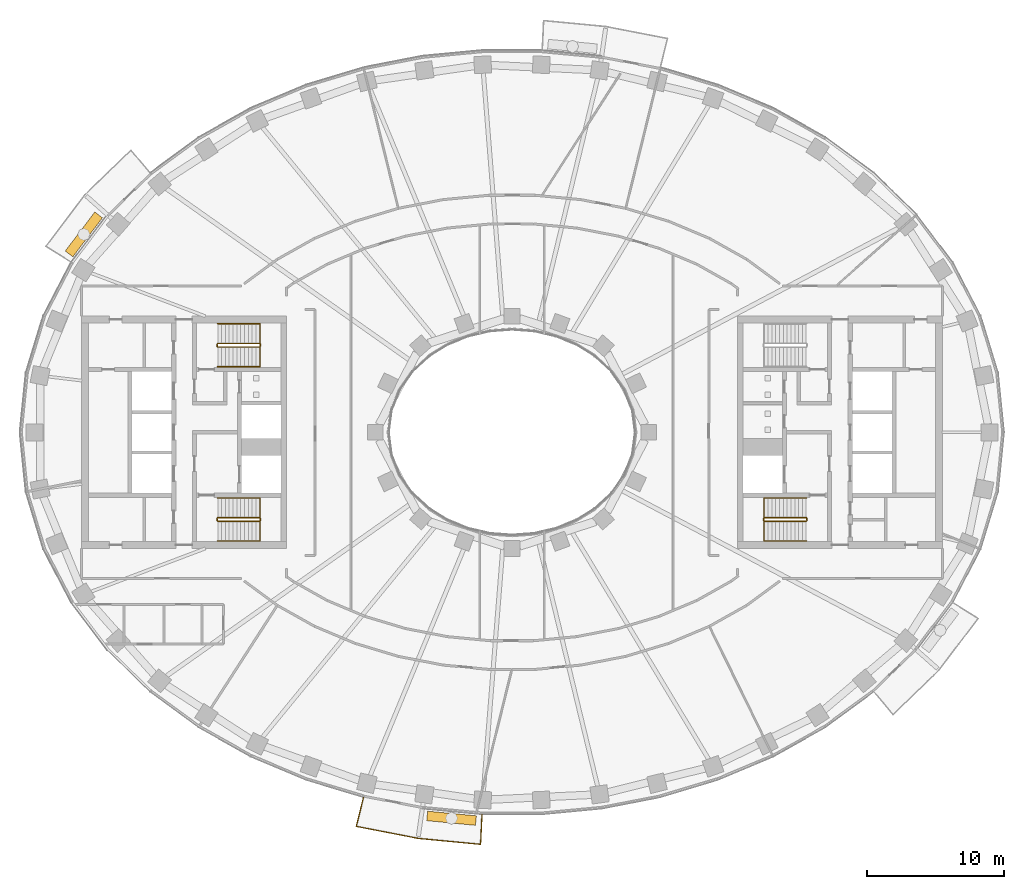
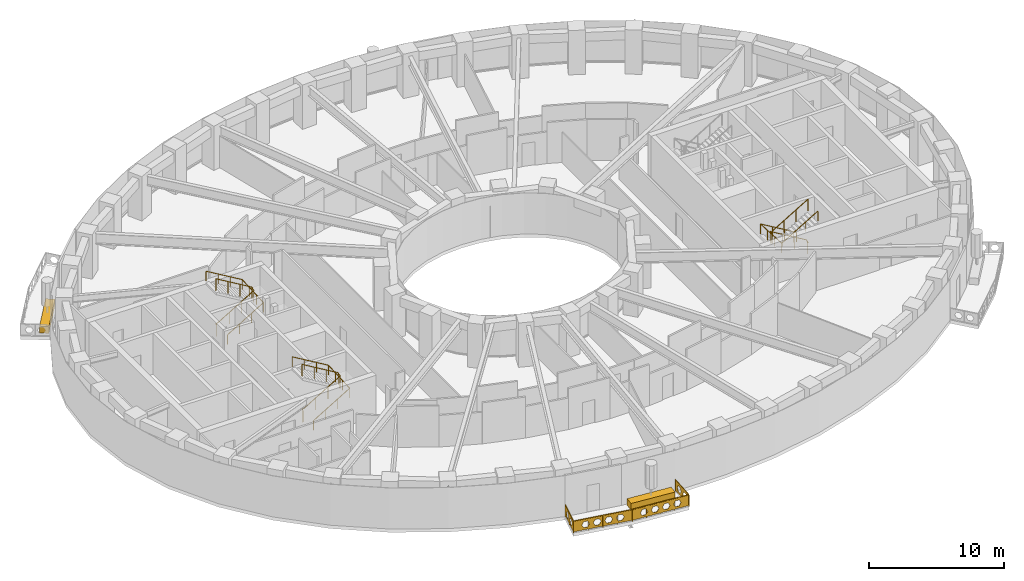
# One storey, part 14 of 16: 7 railings, 2 coverings.
"""IFC4 building model written with IfcOpenShell, lengths in metres."""

from ifc_helpers import new_model, si_unit, direction, frame, origin, origin_2d, place, context, subcontext, project, spatial, polyline, rectangle, outline, extrude, material, type_object, element, save


model = new_model("IFC4")

# Units and contexts
model_context = context("Model", 3, precision=1e-05, world=origin(), true_north=direction((0.0, 1.0)))
body_context = subcontext(model_context, "Body", "Model", "MODEL_VIEW")
ifc_project = project(units=[si_unit("LENGTHUNIT", "METRE"), si_unit("AREAUNIT", "SQUARE_METRE"), si_unit("VOLUMEUNIT", "CUBIC_METRE"), si_unit("PLANEANGLEUNIT", "RADIAN"), si_unit("MASSUNIT", "GRAM", prefix="KILO")], contexts=[model_context])

# Site, building, storey
site_placement = place(None, origin())
site = spatial("IfcSite", under=ifc_project, at=site_placement, CompositionType="ELEMENT")
building_placement = place(site_placement, origin())
building = spatial("IfcBuilding", under=site, at=building_placement, Name="Noorbagh Ring Tower", CompositionType="ELEMENT")
storey_placement = place(building_placement, frame((0.0, 0.0, 136.0)))
storey = spatial("IfcBuildingStorey", under=building, at=storey_placement, Name="L31", CompositionType="ELEMENT", Elevation=136.0)

# Railings
ifc_material_1 = material(Name="Stainless steel", Category="steel")
railing_type_1 = type_object("IfcRailingType", Name="CORE-STAIR-GUARD", PredefinedType="GUARDRAIL", material=ifc_material_1)
railing_1_placement = place(storey_placement, frame((-21.580078125, 6.300048828125, 0.0)))
element("IfcRailing", 1, at=railing_1_placement, inside=storey, type_object=railing_type_1, Name="L31 ST1 stair guard", PredefinedType="GUARDRAIL", context=body_context, shape_type="SweptSolid", body=[
    extrude(rectangle(XDim=0.048095703125, YDim=0.048095703125, at=origin_2d()), frame((0.0, 0.0, 1.076171875), z_axis=(0.0, 1.0, 0.0), x_axis=(-1.0, 0.0, 0.0)), (0.0, 0.0, 1.0), 0.14990234375),
    extrude(rectangle(XDim=0.048095703125, YDim=0.048095703125, at=origin_2d()), frame((0.0, 0.14990234375, 1.076171875), z_axis=(0.188775798145, -0.754182335027, 0.628945707965), x_axis=(0.970072785993, 0.242814311512, 0.0)), (0.0, 0.0, 1.0), 0.26513671875),
    extrude(rectangle(XDim=0.048095703125, YDim=0.048095703125, at=origin_2d()), frame((0.050048828125, -0.050048828125, 1.24267578125), z_axis=(0.859308565015, 0.0, 0.511457515432), x_axis=(0.0, 1.0, 0.0)), (0.0, 0.0, 1.0), 3.58447265625),
    extrude(rectangle(XDim=0.048095703125, YDim=0.048095703125, at=origin_2d()), frame((3.130126953125, -0.050048828125, 3.076171875), z_axis=(0.707106781187, 0.707106781187, 0.0), x_axis=(-0.707106781187, 0.707106781187, 0.0)), (0.0, 0.0, 1.0), 0.07080078125),
    extrude(rectangle(XDim=0.048095703125, YDim=0.048095703125, at=origin_2d()), frame((3.18017578125, 0.0, 3.076171875), z_axis=(0.0, 1.0, 0.0), x_axis=(-1.0, 0.0, 0.0)), (0.0, 0.0, 1.0), 0.14990234375),
    extrude(rectangle(XDim=0.048095703125, YDim=0.048095703125, at=origin_2d()), frame((3.18017578125, 0.14990234375, 3.076171875), z_axis=(-0.27628659633, 0.27628659633, 0.920506074601), x_axis=(-0.707106781187, -0.707106781187, 0.0)), (0.0, 0.0, 1.0), 0.18115234375),
    extrude(rectangle(XDim=0.048095703125, YDim=0.048095703125, at=origin_2d()), frame((3.130126953125, 0.199951171875, 3.24267578125), z_axis=(-0.859308565015, 0.0, 0.511457515432), x_axis=(0.0, -1.0, 0.0)), (0.0, 0.0, 1.0), 3.58447265625),
    extrude(rectangle(XDim=0.0419921875, YDim=0.0419921875, at=origin_2d()), origin(), (0.0, 0.0, 1.0), 1.052001953125),
    extrude(rectangle(XDim=0.0419921875, YDim=0.0419921875, at=origin_2d()), frame((1.07666015625, -0.050048828125, 0.77783203125)), (0.0, 0.0, 1.0), 1.052001953125),
    extrude(rectangle(XDim=0.0419921875, YDim=0.0419921875, at=origin_2d()), frame((2.103515625, -0.050048828125, 1.388916015625)), (0.0, 0.0, 1.0), 1.052001953125),
    extrude(rectangle(XDim=0.0419921875, YDim=0.0419921875, at=origin_2d()), frame((3.130126953125, -0.050048828125, 2.0)), (0.0, 0.0, 1.0), 1.052001953125),
    extrude(rectangle(XDim=0.0419921875, YDim=0.0419921875, at=origin_2d()), frame((3.130126953125, 0.199951171875, 2.166748046875)), (0.0, 0.0, 1.0), 1.052001953125),
    extrude(rectangle(XDim=0.0419921875, YDim=0.0419921875, at=origin_2d()), frame((2.103515625, 0.199951171875, 2.77783203125)), (0.0, 0.0, 1.0), 1.052001953125),
    extrude(rectangle(XDim=0.0419921875, YDim=0.0419921875, at=origin_2d()), frame((1.07666015625, 0.199951171875, 3.388916015625)), (0.0, 0.0, 1.0), 1.052001953125),
    extrude(rectangle(XDim=0.0419921875, YDim=0.0419921875, at=origin_2d()), frame((0.050048828125, 0.199951171875, 4.0)), (0.0, 0.0, 1.0), 1.052001953125),
])
railing_2_placement = place(storey_placement, frame((-21.580078125, -6.449951171875, 0.0)))
element("IfcRailing", 2, at=railing_2_placement, inside=storey, type_object=railing_type_1, Name="L31 ST2 stair guard", PredefinedType="GUARDRAIL", context=body_context, shape_type="SweptSolid", body=[
    extrude(rectangle(XDim=0.048095703125, YDim=0.048095703125, at=origin_2d()), frame((0.0, 0.0, 1.076171875), z_axis=(0.0, 1.0, 0.0), x_axis=(-1.0, 0.0, 0.0)), (0.0, 0.0, 1.0), 0.14990234375),
    extrude(rectangle(XDim=0.048095703125, YDim=0.048095703125, at=origin_2d()), frame((0.0, 0.14990234375, 1.076171875), z_axis=(0.188775798145, -0.754182335027, 0.628945707965), x_axis=(0.970072785993, 0.242814311512, 0.0)), (0.0, 0.0, 1.0), 0.26513671875),
    extrude(rectangle(XDim=0.048095703125, YDim=0.048095703125, at=origin_2d()), frame((0.050048828125, -0.050048828125, 1.24267578125), z_axis=(0.859308565015, 0.0, 0.511457515432), x_axis=(0.0, 1.0, 0.0)), (0.0, 0.0, 1.0), 3.58447265625),
    extrude(rectangle(XDim=0.048095703125, YDim=0.048095703125, at=origin_2d()), frame((3.130126953125, -0.050048828125, 3.076171875), z_axis=(0.707106781187, 0.707106781187, 0.0), x_axis=(-0.707106781187, 0.707106781187, 0.0)), (0.0, 0.0, 1.0), 0.07080078125),
    extrude(rectangle(XDim=0.048095703125, YDim=0.048095703125, at=origin_2d()), frame((3.18017578125, 0.0, 3.076171875), z_axis=(0.0, 1.0, 0.0), x_axis=(-1.0, 0.0, 0.0)), (0.0, 0.0, 1.0), 0.14990234375),
    extrude(rectangle(XDim=0.048095703125, YDim=0.048095703125, at=origin_2d()), frame((3.18017578125, 0.14990234375, 3.076171875), z_axis=(-0.27628659633, 0.27628659633, 0.920506074601), x_axis=(-0.707106781187, -0.707106781187, 0.0)), (0.0, 0.0, 1.0), 0.18115234375),
    extrude(rectangle(XDim=0.048095703125, YDim=0.048095703125, at=origin_2d()), frame((3.130126953125, 0.199951171875, 3.24267578125), z_axis=(-0.859308565015, 0.0, 0.511457515432), x_axis=(0.0, -1.0, 0.0)), (0.0, 0.0, 1.0), 3.58447265625),
    extrude(rectangle(XDim=0.0419921875, YDim=0.0419921875, at=origin_2d()), origin(), (0.0, 0.0, 1.0), 1.052001953125),
    extrude(rectangle(XDim=0.0419921875, YDim=0.0419921875, at=origin_2d()), frame((1.07666015625, -0.050048828125, 0.77783203125)), (0.0, 0.0, 1.0), 1.052001953125),
    extrude(rectangle(XDim=0.0419921875, YDim=0.0419921875, at=origin_2d()), frame((2.103515625, -0.050048828125, 1.388916015625)), (0.0, 0.0, 1.0), 1.052001953125),
    extrude(rectangle(XDim=0.0419921875, YDim=0.0419921875, at=origin_2d()), frame((3.130126953125, -0.050048828125, 2.0)), (0.0, 0.0, 1.0), 1.052001953125),
    extrude(rectangle(XDim=0.0419921875, YDim=0.0419921875, at=origin_2d()), frame((3.130126953125, 0.199951171875, 2.166748046875)), (0.0, 0.0, 1.0), 1.052001953125),
    extrude(rectangle(XDim=0.0419921875, YDim=0.0419921875, at=origin_2d()), frame((2.103515625, 0.199951171875, 2.77783203125)), (0.0, 0.0, 1.0), 1.052001953125),
    extrude(rectangle(XDim=0.0419921875, YDim=0.0419921875, at=origin_2d()), frame((1.07666015625, 0.199951171875, 3.388916015625)), (0.0, 0.0, 1.0), 1.052001953125),
    extrude(rectangle(XDim=0.0419921875, YDim=0.0419921875, at=origin_2d()), frame((0.050048828125, 0.199951171875, 4.0)), (0.0, 0.0, 1.0), 1.052001953125),
])
railing_3_placement = place(storey_placement, frame((21.580078125, -6.300048828125, 0.0)))
element("IfcRailing", 3, at=railing_3_placement, inside=storey, type_object=railing_type_1, Name="L31 ST4 stair guard", PredefinedType="GUARDRAIL", context=body_context, shape_type="SweptSolid", body=[
    extrude(rectangle(XDim=0.048095703125, YDim=0.048095703125, at=origin_2d()), frame((0.0, 0.0, 1.076171875), z_axis=(0.0, -1.0, 0.0), x_axis=(1.0, 0.0, 0.0)), (0.0, 0.0, 1.0), 0.14990234375),
    extrude(rectangle(XDim=0.048095703125, YDim=0.048095703125, at=origin_2d()), frame((0.0, -0.14990234375, 1.076171875), z_axis=(-0.188775798145, 0.754182335027, 0.628945707965), x_axis=(-0.970072785993, -0.242814311512, 0.0)), (0.0, 0.0, 1.0), 0.26513671875),
    extrude(rectangle(XDim=0.048095703125, YDim=0.048095703125, at=origin_2d()), frame((-0.050048828125, 0.050048828125, 1.24267578125), z_axis=(-0.859308565015, 0.0, 0.511457515432), x_axis=(0.0, -1.0, 0.0)), (0.0, 0.0, 1.0), 3.58447265625),
    extrude(rectangle(XDim=0.048095703125, YDim=0.048095703125, at=origin_2d()), frame((-3.130126953125, 0.050048828125, 3.076171875), z_axis=(-0.707106781187, -0.707106781187, 0.0), x_axis=(0.707106781187, -0.707106781187, 0.0)), (0.0, 0.0, 1.0), 0.07080078125),
    extrude(rectangle(XDim=0.048095703125, YDim=0.048095703125, at=origin_2d()), frame((-3.18017578125, 0.0, 3.076171875), z_axis=(0.0, -1.0, 0.0), x_axis=(1.0, 0.0, 0.0)), (0.0, 0.0, 1.0), 0.14990234375),
    extrude(rectangle(XDim=0.048095703125, YDim=0.048095703125, at=origin_2d()), frame((-3.18017578125, -0.14990234375, 3.076171875), z_axis=(0.27628659633, -0.27628659633, 0.920506074601), x_axis=(0.707106781187, 0.707106781187, 0.0)), (0.0, 0.0, 1.0), 0.18115234375),
    extrude(rectangle(XDim=0.048095703125, YDim=0.048095703125, at=origin_2d()), frame((-3.130126953125, -0.199951171875, 3.24267578125), z_axis=(0.859308565015, 0.0, 0.511457515432), x_axis=(0.0, 1.0, 0.0)), (0.0, 0.0, 1.0), 3.58447265625),
    extrude(rectangle(XDim=0.0419921875, YDim=0.0419921875, at=origin_2d()), origin(), (0.0, 0.0, 1.0), 1.052001953125),
    extrude(rectangle(XDim=0.0419921875, YDim=0.0419921875, at=origin_2d()), frame((-1.07666015625, 0.050048828125, 0.77783203125)), (0.0, 0.0, 1.0), 1.052001953125),
    extrude(rectangle(XDim=0.0419921875, YDim=0.0419921875, at=origin_2d()), frame((-2.103515625, 0.050048828125, 1.388916015625)), (0.0, 0.0, 1.0), 1.052001953125),
    extrude(rectangle(XDim=0.0419921875, YDim=0.0419921875, at=origin_2d()), frame((-3.130126953125, 0.050048828125, 2.0)), (0.0, 0.0, 1.0), 1.052001953125),
    extrude(rectangle(XDim=0.0419921875, YDim=0.0419921875, at=origin_2d()), frame((-3.130126953125, -0.199951171875, 2.166748046875)), (0.0, 0.0, 1.0), 1.052001953125),
    extrude(rectangle(XDim=0.0419921875, YDim=0.0419921875, at=origin_2d()), frame((-2.103515625, -0.199951171875, 2.77783203125)), (0.0, 0.0, 1.0), 1.052001953125),
    extrude(rectangle(XDim=0.0419921875, YDim=0.0419921875, at=origin_2d()), frame((-1.07666015625, -0.199951171875, 3.388916015625)), (0.0, 0.0, 1.0), 1.052001953125),
    extrude(rectangle(XDim=0.0419921875, YDim=0.0419921875, at=origin_2d()), frame((-0.050048828125, -0.199951171875, 4.0)), (0.0, 0.0, 1.0), 1.052001953125),
])
ifc_material_2 = material(Name="Stainless steel", Category="steel")
railing_type_2 = type_object("IfcRailingType", Name="CORE-STAIR-HANDRAIL", PredefinedType="HANDRAIL", material=ifc_material_2)
railing_4_placement = place(storey_placement, frame((-21.530029296875, 4.800048828125, 0.166748046875)))
element("IfcRailing", 4, at=railing_4_placement, inside=storey, type_object=railing_type_2, Name="L31 ST1 stair handrail", PredefinedType="HANDRAIL", context=body_context, shape_type="SweptSolid", body=[
    extrude(rectangle(XDim=0.048095703125, YDim=0.048095703125, at=origin_2d()), frame((0.0, 0.0, 0.8759765625), z_axis=(0.859308565015, 0.0, 0.511457515432), x_axis=(0.0, 1.0, 0.0)), (0.0, 0.0, 1.0), 3.58447265625),
    extrude(rectangle(XDim=0.048095703125, YDim=0.048095703125, at=origin_2d()), frame((3.080078125, 0.0, 2.708984375), z_axis=(0.0, 0.998601747152, 0.052863509014), x_axis=(-1.0, 0.0, 0.0)), (0.0, 0.0, 1.0), 3.154296875),
    extrude(rectangle(XDim=0.048095703125, YDim=0.048095703125, at=origin_2d()), frame((3.080078125, 3.14990234375, 2.8759765625), z_axis=(-0.859308565015, 0.0, 0.511457515432), x_axis=(0.0, -1.0, 0.0)), (0.0, 0.0, 1.0), 3.58447265625),
    extrude(rectangle(XDim=0.0419921875, YDim=0.0419921875, at=origin_2d()), origin(), (0.0, 0.0, 1.0), 0.851806640625),
    extrude(rectangle(XDim=0.0419921875, YDim=0.0419921875, at=origin_2d()), frame((1.026611328125, 0.0, 0.611083984375)), (0.0, 0.0, 1.0), 0.851806640625),
    extrude(rectangle(XDim=0.0419921875, YDim=0.0419921875, at=origin_2d()), frame((2.053466796875, 0.0, 1.22216796875)), (0.0, 0.0, 1.0), 0.851806640625),
    extrude(rectangle(XDim=0.0419921875, YDim=0.0419921875, at=origin_2d()), frame((3.080078125, 0.0, 1.833251953125)), (0.0, 0.0, 1.0), 0.851806640625),
    extrude(rectangle(XDim=0.0419921875, YDim=0.0419921875, at=origin_2d()), frame((3.080078125, 1.050048828125, 1.888916015625)), (0.0, 0.0, 1.0), 0.851806640625),
    extrude(rectangle(XDim=0.0419921875, YDim=0.0419921875, at=origin_2d()), frame((3.080078125, 2.099853515625, 1.9443359375)), (0.0, 0.0, 1.0), 0.851806640625),
    extrude(rectangle(XDim=0.0419921875, YDim=0.0419921875, at=origin_2d()), frame((3.080078125, 3.14990234375, 2.0)), (0.0, 0.0, 1.0), 0.851806640625),
    extrude(rectangle(XDim=0.0419921875, YDim=0.0419921875, at=origin_2d()), frame((2.053466796875, 3.14990234375, 2.611083984375)), (0.0, 0.0, 1.0), 0.851806640625),
    extrude(rectangle(XDim=0.0419921875, YDim=0.0419921875, at=origin_2d()), frame((1.026611328125, 3.14990234375, 3.22216796875)), (0.0, 0.0, 1.0), 0.851806640625),
    extrude(rectangle(XDim=0.0419921875, YDim=0.0419921875, at=origin_2d()), frame((0.0, 3.14990234375, 3.833251953125)), (0.0, 0.0, 1.0), 0.851806640625),
])
railing_5_placement = place(storey_placement, frame((-21.530029296875, -7.949951171875, 0.166748046875)))
element("IfcRailing", 5, at=railing_5_placement, inside=storey, type_object=railing_type_2, Name="L31 ST2 stair handrail", PredefinedType="HANDRAIL", context=body_context, shape_type="SweptSolid", body=[
    extrude(rectangle(XDim=0.048095703125, YDim=0.048095703125, at=origin_2d()), frame((0.0, 0.0, 0.8759765625), z_axis=(0.859308565015, 0.0, 0.511457515432), x_axis=(0.0, 1.0, 0.0)), (0.0, 0.0, 1.0), 3.58447265625),
    extrude(rectangle(XDim=0.048095703125, YDim=0.048095703125, at=origin_2d()), frame((3.080078125, 0.0, 2.708984375), z_axis=(0.0, 0.998601747152, 0.052863509014), x_axis=(-1.0, 0.0, 0.0)), (0.0, 0.0, 1.0), 3.154296875),
    extrude(rectangle(XDim=0.048095703125, YDim=0.048095703125, at=origin_2d()), frame((3.080078125, 3.14990234375, 2.8759765625), z_axis=(-0.859308565015, 0.0, 0.511457515432), x_axis=(0.0, -1.0, 0.0)), (0.0, 0.0, 1.0), 3.58447265625),
    extrude(rectangle(XDim=0.0419921875, YDim=0.0419921875, at=origin_2d()), origin(), (0.0, 0.0, 1.0), 0.851806640625),
    extrude(rectangle(XDim=0.0419921875, YDim=0.0419921875, at=origin_2d()), frame((1.026611328125, 0.0, 0.611083984375)), (0.0, 0.0, 1.0), 0.851806640625),
    extrude(rectangle(XDim=0.0419921875, YDim=0.0419921875, at=origin_2d()), frame((2.053466796875, 0.0, 1.22216796875)), (0.0, 0.0, 1.0), 0.851806640625),
    extrude(rectangle(XDim=0.0419921875, YDim=0.0419921875, at=origin_2d()), frame((3.080078125, 0.0, 1.833251953125)), (0.0, 0.0, 1.0), 0.851806640625),
    extrude(rectangle(XDim=0.0419921875, YDim=0.0419921875, at=origin_2d()), frame((3.080078125, 1.050048828125, 1.888916015625)), (0.0, 0.0, 1.0), 0.851806640625),
    extrude(rectangle(XDim=0.0419921875, YDim=0.0419921875, at=origin_2d()), frame((3.080078125, 2.099853515625, 1.9443359375)), (0.0, 0.0, 1.0), 0.851806640625),
    extrude(rectangle(XDim=0.0419921875, YDim=0.0419921875, at=origin_2d()), frame((3.080078125, 3.14990234375, 2.0)), (0.0, 0.0, 1.0), 0.851806640625),
    extrude(rectangle(XDim=0.0419921875, YDim=0.0419921875, at=origin_2d()), frame((2.053466796875, 3.14990234375, 2.611083984375)), (0.0, 0.0, 1.0), 0.851806640625),
    extrude(rectangle(XDim=0.0419921875, YDim=0.0419921875, at=origin_2d()), frame((1.026611328125, 3.14990234375, 3.22216796875)), (0.0, 0.0, 1.0), 0.851806640625),
    extrude(rectangle(XDim=0.0419921875, YDim=0.0419921875, at=origin_2d()), frame((0.0, 3.14990234375, 3.833251953125)), (0.0, 0.0, 1.0), 0.851806640625),
])
railing_6_placement = place(storey_placement, frame((21.530029296875, -4.800048828125, 0.166748046875)))
element("IfcRailing", 6, at=railing_6_placement, inside=storey, type_object=railing_type_2, Name="L31 ST4 stair handrail", PredefinedType="HANDRAIL", context=body_context, shape_type="SweptSolid", body=[
    extrude(rectangle(XDim=0.048095703125, YDim=0.048095703125, at=origin_2d()), frame((0.0, 0.0, 0.8759765625), z_axis=(-0.859308565015, 0.0, 0.511457515432), x_axis=(0.0, -1.0, 0.0)), (0.0, 0.0, 1.0), 3.58447265625),
    extrude(rectangle(XDim=0.048095703125, YDim=0.048095703125, at=origin_2d()), frame((-3.080078125, 0.0, 2.708984375), z_axis=(0.0, -0.998601747152, 0.052863509014), x_axis=(1.0, 0.0, 0.0)), (0.0, 0.0, 1.0), 3.154296875),
    extrude(rectangle(XDim=0.048095703125, YDim=0.048095703125, at=origin_2d()), frame((-3.080078125, -3.14990234375, 2.8759765625), z_axis=(0.859308565015, 0.0, 0.511457515432), x_axis=(0.0, 1.0, 0.0)), (0.0, 0.0, 1.0), 3.58447265625),
    extrude(rectangle(XDim=0.0419921875, YDim=0.0419921875, at=origin_2d()), origin(), (0.0, 0.0, 1.0), 0.851806640625),
    extrude(rectangle(XDim=0.0419921875, YDim=0.0419921875, at=origin_2d()), frame((-1.026611328125, 0.0, 0.611083984375)), (0.0, 0.0, 1.0), 0.851806640625),
    extrude(rectangle(XDim=0.0419921875, YDim=0.0419921875, at=origin_2d()), frame((-2.053466796875, 0.0, 1.22216796875)), (0.0, 0.0, 1.0), 0.851806640625),
    extrude(rectangle(XDim=0.0419921875, YDim=0.0419921875, at=origin_2d()), frame((-3.080078125, 0.0, 1.833251953125)), (0.0, 0.0, 1.0), 0.851806640625),
    extrude(rectangle(XDim=0.0419921875, YDim=0.0419921875, at=origin_2d()), frame((-3.080078125, -1.050048828125, 1.888916015625)), (0.0, 0.0, 1.0), 0.851806640625),
    extrude(rectangle(XDim=0.0419921875, YDim=0.0419921875, at=origin_2d()), frame((-3.080078125, -2.099853515625, 1.9443359375)), (0.0, 0.0, 1.0), 0.851806640625),
    extrude(rectangle(XDim=0.0419921875, YDim=0.0419921875, at=origin_2d()), frame((-3.080078125, -3.14990234375, 2.0)), (0.0, 0.0, 1.0), 0.851806640625),
    extrude(rectangle(XDim=0.0419921875, YDim=0.0419921875, at=origin_2d()), frame((-2.053466796875, -3.14990234375, 2.611083984375)), (0.0, 0.0, 1.0), 0.851806640625),
    extrude(rectangle(XDim=0.0419921875, YDim=0.0419921875, at=origin_2d()), frame((-1.026611328125, -3.14990234375, 3.22216796875)), (0.0, 0.0, 1.0), 0.851806640625),
    extrude(rectangle(XDim=0.0419921875, YDim=0.0419921875, at=origin_2d()), frame((0.0, -3.14990234375, 3.833251953125)), (0.0, 0.0, 1.0), 0.851806640625),
])
ifc_material_3 = material(Name="Steel S275 black powder-coated", Category="steel")
railing_type_3 = type_object("IfcRailingType", Name="ENV-GUARD", PredefinedType="GUARDRAIL", material=ifc_material_3)
railing_7_placement = place(storey_placement, frame((-10.865234375, -26.6943359375, 0.0)))
element("IfcRailing", 7, at=railing_7_placement, inside=storey, type_object=railing_type_3, Name="Balcony guard BS03", PredefinedType="GUARDRAIL", context=body_context, shape_type="SweptSolid", body=[
    extrude(rectangle(XDim=0.048095703125, YDim=0.048095703125, at=origin_2d()), frame((0.0, 0.0, 1.076171875), z_axis=(-0.239848558412, -0.970810315679, 0.0), x_axis=(0.970810315679, -0.239848558412, 0.0)), (0.0, 0.0, 1.0), 2.20263671875),
    extrude(rectangle(XDim=0.048095703125, YDim=0.048095703125, at=origin_2d()), frame((-0.5283203125, -2.138427734375, 1.076171875), z_axis=(0.981625049064, -0.1908199755, 0.0), x_axis=(0.1908199755, 0.981625049064, 0.0)), (0.0, 0.0, 1.0), 4.603271484375),
    extrude(rectangle(XDim=0.048095703125, YDim=0.048095703125, at=origin_2d()), frame((3.990478515625, -3.016845703125, 1.076171875), z_axis=(0.995477555764, -0.094997031379, 0.0), x_axis=(0.094997031379, 0.995477555764, 0.0)), (0.0, 0.0, 1.0), 4.59765625),
    extrude(rectangle(XDim=0.048095703125, YDim=0.048095703125, at=origin_2d()), frame((8.5673828125, -3.45361328125, 1.076171875), z_axis=(0.047554616162, 0.998868639252, 0.0), x_axis=(-0.998868639252, 0.047554616162, 0.0)), (0.0, 0.0, 1.0), 2.202392578125),
    extrude(rectangle(XDim=0.0419921875, YDim=0.0419921875, at=origin_2d()), origin(), (0.0, 0.0, 1.0), 1.052001953125),
    extrude(rectangle(XDim=0.0419921875, YDim=0.0419921875, at=origin_2d()), frame((-0.26416015625, -1.0693359375, 0.0)), (0.0, 0.0, 1.0), 1.052001953125),
    extrude(rectangle(XDim=0.0419921875, YDim=0.0419921875, at=origin_2d()), frame((-0.5283203125, -2.138427734375, 0.0)), (0.0, 0.0, 1.0), 1.052001953125),
    extrude(rectangle(XDim=0.0419921875, YDim=0.0419921875, at=origin_2d()), frame((0.601318359375, -2.35791015625, 0.0)), (0.0, 0.0, 1.0), 1.052001953125),
    extrude(rectangle(XDim=0.0419921875, YDim=0.0419921875, at=origin_2d()), frame((1.73095703125, -2.57763671875, 0.0)), (0.0, 0.0, 1.0), 1.052001953125),
    extrude(rectangle(XDim=0.0419921875, YDim=0.0419921875, at=origin_2d()), frame((2.86083984375, -2.79736328125, 0.0)), (0.0, 0.0, 1.0), 1.052001953125),
    extrude(rectangle(XDim=0.0419921875, YDim=0.0419921875, at=origin_2d()), frame((3.990478515625, -3.016845703125, 0.0)), (0.0, 0.0, 1.0), 1.052001953125),
    extrude(rectangle(XDim=0.0419921875, YDim=0.0419921875, at=origin_2d()), frame((5.134765625, -3.1259765625, 0.0)), (0.0, 0.0, 1.0), 1.052001953125),
    extrude(rectangle(XDim=0.0419921875, YDim=0.0419921875, at=origin_2d()), frame((6.27880859375, -3.2353515625, 0.0)), (0.0, 0.0, 1.0), 1.052001953125),
    extrude(rectangle(XDim=0.0419921875, YDim=0.0419921875, at=origin_2d()), frame((7.423095703125, -3.344482421875, 0.0)), (0.0, 0.0, 1.0), 1.052001953125),
    extrude(rectangle(XDim=0.0419921875, YDim=0.0419921875, at=origin_2d()), frame((8.5673828125, -3.45361328125, 0.0)), (0.0, 0.0, 1.0), 1.052001953125),
    extrude(rectangle(XDim=0.0419921875, YDim=0.0419921875, at=origin_2d()), frame((8.61962890625, -2.353515625, 0.0)), (0.0, 0.0, 1.0), 1.052001953125),
    extrude(rectangle(XDim=0.0419921875, YDim=0.0419921875, at=origin_2d()), frame((8.672119140625, -1.253662109375, 0.0)), (0.0, 0.0, 1.0), 1.052001953125),
    extrude(outline(polyline([(0.0, 0.10009765625), (2.20263671875, 0.10009765625), (2.20263671875, 1.031982421875), (0.0, 1.031982421875), (0.0, 0.10009765625)]), holes=[polyline([(0.96142578125, 0.56591796875), (0.806396484375, 0.83447265625), (0.496337890625, 0.83447265625), (0.34130859375, 0.56591796875), (0.496337890625, 0.297607421875), (0.806396484375, 0.297607421875), (0.96142578125, 0.56591796875)]), polyline([(1.861328125, 0.56591796875), (1.706298828125, 0.83447265625), (1.396240234375, 0.83447265625), (1.241455078125, 0.56591796875), (1.396240234375, 0.297607421875), (1.706298828125, 0.297607421875), (1.861328125, 0.56591796875)])]), frame((0.009765625, -0.00244140625, 0.0), z_axis=(-0.970810315679, 0.239848558412, 0.0), x_axis=(-0.239848558412, -0.970810315679, 0.0)), (0.0, 0.0, 1.0), 0.02001953125),
    extrude(outline(polyline([(0.0, 0.10009765625), (4.603271484375, 0.10009765625), (4.603271484375, 1.031982421875), (0.0, 1.031982421875), (0.0, 0.10009765625)]), holes=[polyline([(1.26171875, 0.56591796875), (1.106689453125, 0.83447265625), (0.796630859375, 0.83447265625), (0.6416015625, 0.56591796875), (0.796630859375, 0.297607421875), (1.106689453125, 0.297607421875), (1.26171875, 0.56591796875)]), polyline([(2.16162109375, 0.56591796875), (2.006591796875, 0.83447265625), (1.69677734375, 0.83447265625), (1.541748046875, 0.56591796875), (1.69677734375, 0.297607421875), (2.006591796875, 0.297607421875), (2.16162109375, 0.56591796875)]), polyline([(3.061767578125, 0.56591796875), (2.90673828125, 0.83447265625), (2.5966796875, 0.83447265625), (2.441650390625, 0.56591796875), (2.5966796875, 0.297607421875), (2.90673828125, 0.297607421875), (3.061767578125, 0.56591796875)]), polyline([(3.961669921875, 0.56591796875), (3.806640625, 0.83447265625), (3.49658203125, 0.83447265625), (3.341796875, 0.56591796875), (3.49658203125, 0.297607421875), (3.806640625, 0.297607421875), (3.961669921875, 0.56591796875)])]), frame((-0.5263671875, -2.128662109375, 0.0), z_axis=(-0.1908199755, -0.981625049064, 0.0), x_axis=(0.981625049064, -0.1908199755, 0.0)), (0.0, 0.0, 1.0), 0.02001953125),
    extrude(outline(polyline([(0.0, 0.10009765625), (4.59765625, 0.10009765625), (4.59765625, 1.031982421875), (0.0, 1.031982421875), (0.0, 0.10009765625)]), holes=[polyline([(1.2587890625, 0.56591796875), (1.103759765625, 0.83447265625), (0.7939453125, 0.83447265625), (0.638916015625, 0.56591796875), (0.7939453125, 0.297607421875), (1.103759765625, 0.297607421875), (1.2587890625, 0.56591796875)]), polyline([(2.158935546875, 0.56591796875), (2.00390625, 0.83447265625), (1.69384765625, 0.83447265625), (1.538818359375, 0.56591796875), (1.69384765625, 0.297607421875), (2.00390625, 0.297607421875), (2.158935546875, 0.56591796875)]), polyline([(3.058837890625, 0.56591796875), (2.90380859375, 0.83447265625), (2.59375, 0.83447265625), (2.43896484375, 0.56591796875), (2.59375, 0.297607421875), (2.90380859375, 0.297607421875), (3.058837890625, 0.56591796875)]), polyline([(3.958740234375, 0.56591796875), (3.803955078125, 0.83447265625), (3.493896484375, 0.83447265625), (3.3388671875, 0.56591796875), (3.493896484375, 0.297607421875), (3.803955078125, 0.297607421875), (3.958740234375, 0.56591796875)])]), frame((3.991455078125, -3.0068359375, 0.0), z_axis=(-0.094997031379, -0.995477555764, 0.0), x_axis=(0.995477555764, -0.094997031379, 0.0)), (0.0, 0.0, 1.0), 0.02001953125),
    extrude(outline(polyline([(0.0, 0.10009765625), (2.202392578125, 0.10009765625), (2.202392578125, 1.031982421875), (0.0, 1.031982421875), (0.0, 0.10009765625)]), holes=[polyline([(0.961181640625, 0.56591796875), (0.80615234375, 0.83447265625), (0.496337890625, 0.83447265625), (0.34130859375, 0.56591796875), (0.496337890625, 0.297607421875), (0.80615234375, 0.297607421875), (0.961181640625, 0.56591796875)]), polyline([(1.861328125, 0.56591796875), (1.706298828125, 0.83447265625), (1.396240234375, 0.83447265625), (1.2412109375, 0.56591796875), (1.396240234375, 0.297607421875), (1.706298828125, 0.297607421875), (1.861328125, 0.56591796875)])]), frame((8.557373046875, -3.453125, 0.0), z_axis=(0.998868639252, -0.047554616162, 0.0), x_axis=(0.047554616162, 0.998868639252, 0.0)), (0.0, 0.0, 1.0), 0.02001953125),
])

# Coverings
ifc_material_4 = material(Name="Concrete C30/37 planter with soil", Category="concrete")
covering_type = type_object("IfcCoveringType", Name="ENV-PLANTER", PredefinedType="CLADDING", material=ifc_material_4)
covering_1_placement = place(storey_placement, frame((-31.329833984375, 14.4833984375, 0.0), z_axis=(0.0, 0.0, 1.0), x_axis=(-0.604020184358, -0.796969018776, 0.0)))
element("IfcCovering", 8, at=covering_1_placement, inside=storey, type_object=covering_type, Name="PLANTER BN06", ObjectType="PLANTER", PredefinedType="CLADDING", context=body_context, shape_type="SweptSolid", body=[
    extrude(rectangle(XDim=3.583251953125, YDim=0.699951171875, at=origin_2d()), origin(), (0.0, 0.0, 1.0), 0.60009765625),
])
covering_2_placement = place(storey_placement, frame((-4.423828125, -28.2373046875, 0.0), z_axis=(0.0, 0.0, 1.0), x_axis=(0.995476497323, -0.095008122171, 0.0)))
element("IfcCovering", 9, at=covering_2_placement, inside=storey, type_object=covering_type, Name="PLANTER BS03", ObjectType="PLANTER", PredefinedType="CLADDING", context=body_context, shape_type="SweptSolid", body=[
    extrude(rectangle(XDim=3.58642578125, YDim=0.699951171875, at=origin_2d()), origin(), (0.0, 0.0, 1.0), 0.60009765625),
])

save(model, "model.ifc")
